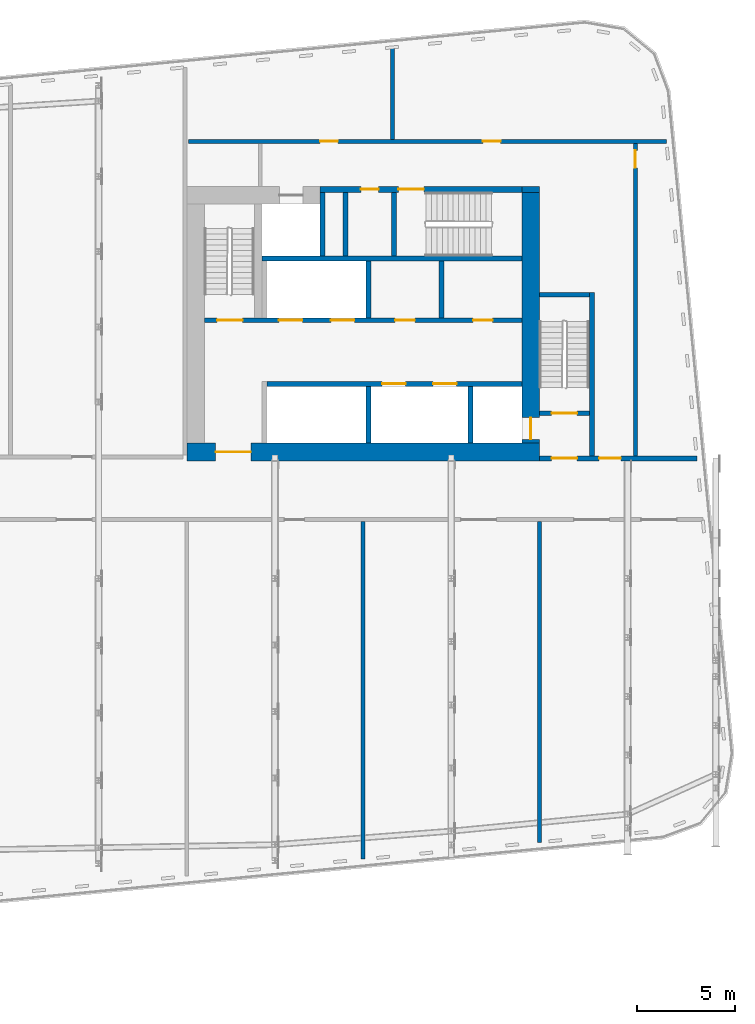
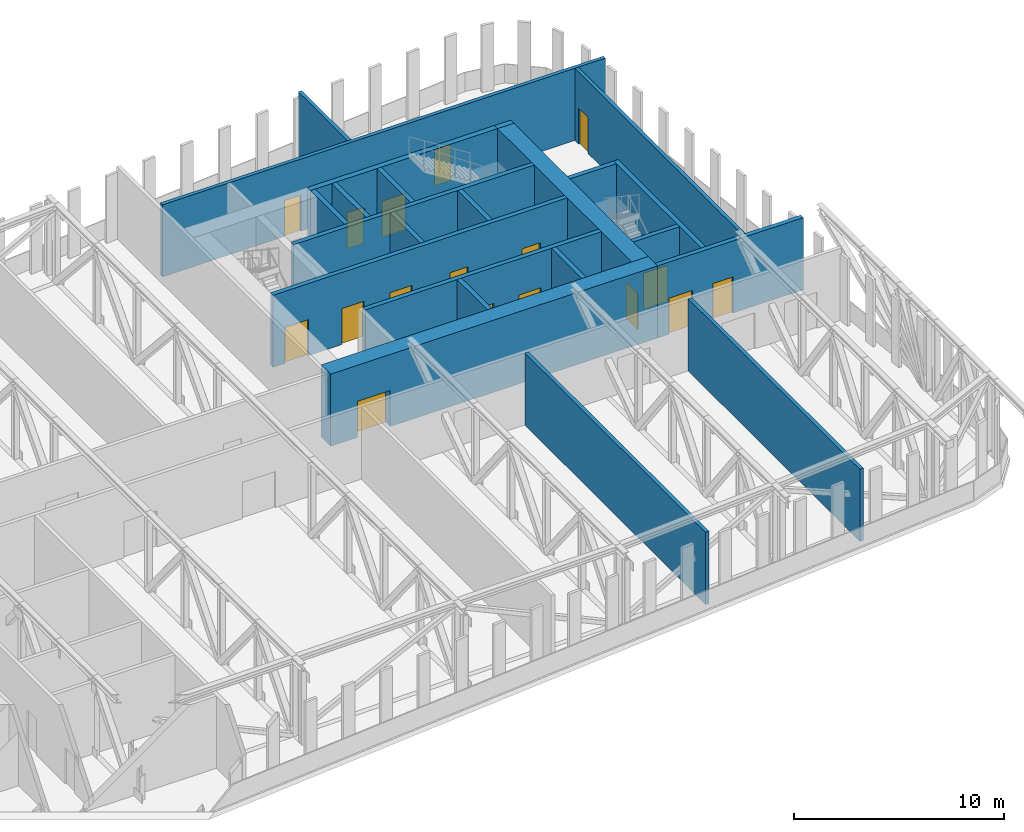
# One storey, part 11 of 26: 23 walls, 17 doors, 17 openings.
"""IFC4 building model written with IfcOpenShell, lengths in metres."""

import ifcopenshell
import ifcopenshell.guid

model = None  # the IFC model being written
_history = None  # IfcOwnerHistory: only IFC2X3 demands one
_inside = {}  # id of a spatial element -> (the spatial element, [elements in it])
_under = {}  # id of a project, library or spatial element -> (it, [spatial elements below it])
_declared = {}  # id of a project -> (the project, [libraries it declares])
_typed = {}  # id of a type object -> (the type object, [elements of that type])
_made_of = {}  # id of a material, layer set ... -> (it, [elements and type objects made of it])


def new_model(schema):
    """Start an empty IFC model of exactly this schema.

    Asked for "IFC4X3", IfcOpenShell would pick the latest addendum, in which some entities
    have other attributes; the version numbers below select the first issue.
    IFC2X3 requires an IfcOwnerHistory on every rooted entity: one is made here for all.
    """
    global model, _history
    if schema == "IFC4X3":
        model = ifcopenshell.file(schema_version=(4, 3, 0, 0))
    else:
        model = ifcopenshell.file(schema=schema)
    _inside.clear()
    _under.clear()
    _declared.clear()
    _typed.clear()
    _made_of.clear()
    _history = None
    if model.schema == "IFC2X3":
        org = make("IfcOrganization", Name="unknown")
        user = make(
            "IfcPersonAndOrganization",
            ThePerson=make("IfcPerson", FamilyName="unknown"),
            TheOrganization=org,
        )
        app = make(
            "IfcApplication",
            ApplicationDeveloper=org,
            Version="unknown",
            ApplicationFullName="unknown",
            ApplicationIdentifier="unknown",
        )
        _history = make(
            "IfcOwnerHistory",
            OwningUser=user,
            OwningApplication=app,
            ChangeAction="ADDED",
            CreationDate=0,
        )
    return model


def make(cls, **values):
    """One entity of the class cls with the attributes given. An attribute that is None is left unset."""
    return model.create_entity(
        cls, **{name: value for name, value in values.items() if value is not None}
    )


def rooted(cls, **values):
    """An entity with a GlobalId (a new one), such as an element, a storey or a relation."""
    return make(cls, GlobalId=ifcopenshell.guid.new(), OwnerHistory=_history, **values)


def si_unit(unit_type, name, prefix=None):
    """IfcSIUnit, for example si_unit("LENGTHUNIT", "METRE", prefix="MILLI")."""
    return make("IfcSIUnit", UnitType=unit_type, Prefix=prefix, Name=name)


def assignment(units):
    """IfcUnitAssignment: the units of a project."""
    return None if units is None else make("IfcUnitAssignment", Units=units)


def point(xyz):
    """IfcCartesianPoint."""
    return None if xyz is None else make("IfcCartesianPoint", Coordinates=xyz)


def direction(xyz):
    """IfcDirection."""
    return None if xyz is None else make("IfcDirection", DirectionRatios=xyz)


def frame(location, z_axis=None, x_axis=None):
    """IfcAxis2Placement3D, a coordinate frame: its origin and axes. An axis left out is left unset."""
    return make(
        "IfcAxis2Placement3D",
        Location=point(location),
        Axis=direction(z_axis),
        RefDirection=direction(x_axis),
    )


def frame_2d(location, x_axis=None):
    """IfcAxis2Placement2D, a coordinate frame in the plane: its origin and x axis."""
    return make(
        "IfcAxis2Placement2D", Location=point(location), RefDirection=direction(x_axis)
    )


def origin():
    """The frame at (0, 0, 0) with its axes left unset."""
    return frame((0.0, 0.0, 0.0))


def place(relative_to, where):
    """IfcLocalPlacement: puts the frame where relative to a parent placement (None: the world)."""
    return make(
        "IfcLocalPlacement", PlacementRelTo=relative_to, RelativePlacement=where
    )


def context(
    kind, dimensions, precision=None, world=None, true_north=None, identifier=None
):
    """IfcGeometricRepresentationContext, for example the 3D "Model" context."""
    return make(
        "IfcGeometricRepresentationContext",
        ContextIdentifier=identifier,
        ContextType=kind,
        CoordinateSpaceDimension=dimensions,
        Precision=precision,
        WorldCoordinateSystem=world,
        TrueNorth=true_north,
    )


def subcontext(parent, identifier, kind, view, scale=None):
    """IfcGeometricRepresentationSubContext, for example "Body" below "Model"."""
    return make(
        "IfcGeometricRepresentationSubContext",
        ContextIdentifier=identifier,
        ContextType=kind,
        ParentContext=parent,
        TargetScale=scale,
        TargetView=view,
    )


def project(units=None, contexts=None):
    """IfcProject with its units and contexts."""
    return rooted(
        "IfcProject",
        Name="project",
        RepresentationContexts=contexts,
        UnitsInContext=assignment(units),
    )


def spatial(cls, under=None, at=None, **own):
    """A site, building, storey or space (cls), placed at a placement, below another one or the project."""
    s = rooted(cls, ObjectPlacement=at, **own)
    if under is not None:
        _under.setdefault(under.id(), (under, []))[1].append(s)
    return s


def profile(cls, at=None, kind="AREA", **sizes):
    """A parametric profile (cls). Its sizes go by their IFC names, for example OverallWidth=200.0."""
    return make(cls, ProfileType=kind, Position=at, **sizes)


def rectangle(**sizes):
    """IfcRectangleProfileDef."""
    return profile("IfcRectangleProfileDef", **sizes)


def extrude(swept, where, along, depth):
    """IfcExtrudedAreaSolid: the profile swept, set in the frame where, extruded along a direction by depth."""
    return make(
        "IfcExtrudedAreaSolid",
        SweptArea=swept,
        Position=where,
        ExtrudedDirection=direction(along),
        Depth=depth,
    )


def shape(context_of_items, identifier, shape_type, items):
    """IfcShapeRepresentation: the items that make up one representation, for example the "Body"."""
    return make(
        "IfcShapeRepresentation",
        ContextOfItems=context_of_items,
        RepresentationIdentifier=identifier,
        RepresentationType=shape_type,
        Items=items,
    )


def material(Name=None, Category=None):
    """IfcMaterial."""
    return make("IfcMaterial", Name=Name, Category=Category)


def layer(
    of_material, thickness, ventilated=None, Name=None, Category=None, Priority=None
):
    """IfcMaterialLayer: one layer of a wall or slab, of a material (None: an air gap)."""
    return make(
        "IfcMaterialLayer",
        Material=of_material,
        LayerThickness=thickness,
        IsVentilated=ventilated,
        Name=Name,
        Category=Category,
        Priority=Priority,
    )


def layer_set(layers, Name=None):
    """IfcMaterialLayerSet."""
    return make("IfcMaterialLayerSet", MaterialLayers=layers, LayerSetName=Name)


def made_of(thing, what):
    """Note that an element or type object is made of a material, layer set ...; save() writes the relation."""
    if what is not None:
        _made_of.setdefault(what.id(), (what, []))[1].append(thing)
    return thing


def type_object(cls, material=None, **own):
    """A type object (cls), such as IfcWallType, which elements share."""
    return made_of(rooted(cls, **own), material)


def element(
    cls,
    number,
    at=None,
    inside=None,
    cuts=None,
    type_object=None,
    material=None,
    context=None,
    identifier="Body",
    shape_type=None,
    held_by="IfcProductDefinitionShape",
    body=None,
    shapes=None,
    **own,
):
    """One element of the class cls, such as IfcWall. Its Tag is "e" and its number.

    at: its placement. inside: the storey or other place that contains it. cuts: it is an
    opening in that element (IfcRelVoidsElement). A single representation is given by context,
    identifier, shape_type and body (its items); several are given by shapes. held_by: the class
    of the entity that holds the representations. save() writes the other relations.
    """
    e = rooted(cls, Tag="e%d" % number, ObjectPlacement=at, **own)
    if body is not None:
        shapes = [shape(context, identifier, shape_type, body)]
    if shapes is not None:
        e.Representation = make(held_by, Representations=shapes)
    if inside is not None:
        _inside.setdefault(inside.id(), (inside, []))[1].append(e)
    if cuts is not None:
        rooted(
            "IfcRelVoidsElement", RelatingBuildingElement=cuts, RelatedOpeningElement=e
        )
    if type_object is not None:
        _typed.setdefault(type_object.id(), (type_object, []))[1].append(e)
    return made_of(e, material)


def fill(opening, filler):
    """IfcRelFillsElement: the door or window that sits in an opening."""
    return rooted(
        "IfcRelFillsElement",
        RelatingOpeningElement=opening,
        RelatedBuildingElement=filler,
    )


def aggregate(whole, parts):
    """IfcRelAggregates: a whole, such as a stair, and the parts it consists of."""
    return rooted("IfcRelAggregates", RelatingObject=whole, RelatedObjects=parts)


def save(model, path):
    """Write the relations noted so far, then the file.

    IfcRelAggregates (storeys below a building ...), IfcRelContainedInSpatialStructure (elements
    in a storey), IfcRelDefinesByType, IfcRelAssociatesMaterial and IfcRelDeclares: one each for
    every whole, place, type object, material and project.
    """
    for whole, parts in _under.values():
        aggregate(whole, parts)
    for where, things in _inside.values():
        rooted(
            "IfcRelContainedInSpatialStructure",
            RelatedElements=things,
            RelatingStructure=where,
        )
    for kind, things in _typed.values():
        rooted("IfcRelDefinesByType", RelatedObjects=things, RelatingType=kind)
    for what, things in _made_of.values():
        rooted("IfcRelAssociatesMaterial", RelatedObjects=things, RelatingMaterial=what)
    for by, libraries in _declared.values():
        rooted("IfcRelDeclares", RelatingContext=by, RelatedDefinitions=libraries)
    model.write(path)


model = new_model("IFC4")

# Units and contexts
model_context = context("Model", 3, precision=1e-05, world=origin(), true_north=direction((0.0, 1.0)))
body_context = subcontext(model_context, "Body", "Model", "MODEL_VIEW")
ifc_project = project(units=[si_unit("LENGTHUNIT", "METRE"), si_unit("AREAUNIT", "SQUARE_METRE"), si_unit("VOLUMEUNIT", "CUBIC_METRE"), si_unit("PLANEANGLEUNIT", "RADIAN"), si_unit("MASSUNIT", "GRAM", prefix="KILO")], contexts=[model_context])

# Site, building, storey
site_placement = place(None, origin())
site = spatial("IfcSite", under=ifc_project, at=site_placement, CompositionType="ELEMENT")
building_placement = place(site_placement, origin())
building = spatial("IfcBuilding", under=site, at=building_placement, Name="Kajstack Hotel Tower", CompositionType="ELEMENT")
storey_placement = place(building_placement, frame((0.0, 0.0, 206.5)))
storey = spatial("IfcBuildingStorey", under=building, at=storey_placement, Name="L50", CompositionType="ELEMENT", Elevation=206.5)

# Wall, opening, door
ifc_material_1 = material(Name="Concrete C60/75", Category="concrete")
ifc_layer_1 = layer(ifc_material_1, 0.89990234375)
ifc_layer_set_1 = layer_set([ifc_layer_1], Name="Core wall 900")
wall_type_1 = type_object("IfcWallType", Name="Core wall 900", PredefinedType="SHEAR", material=ifc_layer_set_1)
wall_1_placement = place(storey_placement, frame((13.5, 1.949951171875, 0.0), z_axis=(0.0, 0.0, 1.0), x_axis=(1.0, 0.0, 0.0)))
wall_1 = element("IfcWall", 1, at=wall_1_placement, inside=storey, type_object=wall_type_1, Name="Core wall E RN", PredefinedType="SHEAR", context=body_context, shape_type="SweptSolid", body=[
    extrude(rectangle(XDim=18.0, YDim=0.89990234375, at=frame_2d((9.0, 0.0))), origin(), (0.0, 0.0, 1.0), 4.199951171875),
])
opening_1_placement = place(wall_1_placement, frame((1.47509765625, 0.0, 0.0)))
opening_1 = element("IfcOpeningElement", 2, at=opening_1_placement, cuts=wall_1, Name="Opening 50E07", PredefinedType="OPENING", context=body_context, shape_type="SweptSolid", body=[
    extrude(rectangle(XDim=1.800048828125, YDim=2.10009765625, at=frame_2d((0.89990234375, 1.050048828125))), frame((0.0, 0.4599609375, 0.0), z_axis=(0.0, -1.0, 0.0), x_axis=(1.0, 0.0, 0.0)), (0.0, 0.0, 1.0), 0.919921875),
])
ifc_material_2 = material(Name="Glazed steel frame, fire-rated glass", Category="steel")
door_type_1 = type_object("IfcDoorType", Name="Lobby double door 1800", OperationType="DOUBLE_DOOR_DOUBLE_SWING", PredefinedType="DOOR", material=ifc_material_2)
door_1_placement = place(opening_1_placement, origin())
door_1 = element("IfcDoor", 3, at=door_1_placement, inside=storey, type_object=door_type_1, Name="Door 50E07", OperationType="DOUBLE_DOOR_DOUBLE_SWING", OverallHeight=2.10009765625, OverallWidth=1.800048828125, PredefinedType="DOOR", context=body_context, shape_type="SweptSolid", body=[
    extrude(rectangle(XDim=1.800048828125, YDim=2.10009765625, at=frame_2d((0.89990234375, 1.050048828125))), frame((0.0, 0.02490234375, 0.0), z_axis=(0.0, -1.0, 0.0), x_axis=(1.0, 0.0, 0.0)), (0.0, 0.0, 1.0), 0.050048828125),
])
fill(opening_1, door_1)

# Wall
wall_2_placement = place(storey_placement, frame((30.60009765625, 15.35009765625, 0.0), z_axis=(0.0, 0.0, 1.0), x_axis=(1.0, 0.0, 0.0)))
element("IfcWall", 4, at=wall_2_placement, inside=storey, type_object=wall_type_1, Name="Core wall E RSW", PredefinedType="SHEAR", context=body_context, shape_type="SweptSolid", body=[
    extrude(rectangle(XDim=0.89990234375, YDim=0.300048828125, at=frame_2d((0.449951171875, 0.0))), origin(), (0.0, 0.0, 1.0), 4.199951171875),
])

# Wall, opening, door
wall_3_placement = place(storey_placement, frame((31.050048828125, 2.39990234375, 0.0), z_axis=(0.0, 0.0, 1.0), x_axis=(0.0, 1.0, 0.0)))
wall_3 = element("IfcWall", 5, at=wall_3_placement, inside=storey, type_object=wall_type_1, Name="Core wall E RW", PredefinedType="SHEAR", context=body_context, shape_type="SweptSolid", body=[
    extrude(rectangle(XDim=12.800048828125, YDim=0.89990234375, at=frame_2d((6.39990234375, 0.0))), origin(), (0.0, 0.0, 1.0), 4.199951171875),
])
opening_2_placement = place(wall_3_placement, frame((0.199951171875, 0.0, 0.0)))
opening_2 = element("IfcOpeningElement", 6, at=opening_2_placement, cuts=wall_3, Name="Opening LD-FF2", PredefinedType="OPENING", context=body_context, shape_type="SweptSolid", body=[
    extrude(rectangle(XDim=1.10009765625, YDim=2.10009765625, at=frame_2d((0.550048828125, 1.050048828125))), frame((0.0, 0.4599609375, 0.0), z_axis=(0.0, -1.0, 0.0), x_axis=(1.0, 0.0, 0.0)), (0.0, 0.0, 1.0), 0.919921875),
])
ifc_material_3 = material(Name="Stainless steel", Category="steel")
door_type_2 = type_object("IfcDoorType", Name="Fire-fighting lift landing door 1100", OperationType="SLIDING_TO_LEFT", PredefinedType="DOOR", material=ifc_material_3)
door_2_placement = place(opening_2_placement, origin())
door_2 = element("IfcDoor", 7, at=door_2_placement, inside=storey, type_object=door_type_2, Name="Landing door FF2", OperationType="SLIDING_TO_LEFT", OverallHeight=2.10009765625, OverallWidth=1.10009765625, PredefinedType="DOOR", context=body_context, shape_type="SweptSolid", body=[
    extrude(rectangle(XDim=1.10009765625, YDim=2.10009765625, at=frame_2d((0.550048828125, 1.050048828125))), frame((0.0, 0.02490234375, 0.0), z_axis=(0.0, -1.0, 0.0), x_axis=(1.0, 0.0, 0.0)), (0.0, 0.0, 1.0), 0.050048828125),
])
fill(opening_2, door_2)

# Walls
ifc_material_4 = material(Name="Concrete C50/60", Category="concrete")
ifc_layer_2 = layer(ifc_material_4, 0.300048828125)
ifc_layer_set_2 = layer_set([ifc_layer_2], Name="Hoistway divider wall 300")
wall_type_2 = type_object("IfcWallType", Name="Hoistway divider wall 300", PredefinedType="SHEAR", material=ifc_layer_set_2)
wall_4_placement = place(storey_placement, frame((22.77490234375, 2.39990234375, 0.0), z_axis=(0.0, 0.0, 1.0), x_axis=(0.0, 1.0, 0.0)))
element("IfcWall", 8, at=wall_4_placement, inside=storey, type_object=wall_type_2, Name="Core wall E AP2", PredefinedType="SHEAR", context=body_context, shape_type="SweptSolid", body=[
    extrude(rectangle(XDim=2.900146484375, YDim=0.25, at=frame_2d((1.4501953125, 0.0))), origin(), (0.0, 0.0, 1.0), 4.199951171875),
])
wall_5_placement = place(storey_placement, frame((22.77490234375, 8.800048828125, 0.0), z_axis=(0.0, 0.0, 1.0), x_axis=(0.0, 1.0, 0.0)))
element("IfcWall", 9, at=wall_5_placement, inside=storey, type_object=wall_type_2, Name="Core wall E BP2", PredefinedType="SHEAR", context=body_context, shape_type="SweptSolid", body=[
    extrude(rectangle(XDim=2.89990234375, YDim=0.25, at=frame_2d((1.449951171875, 0.0))), origin(), (0.0, 0.0, 1.0), 4.199951171875),
])
ifc_material_5 = material(Name="Gypsum board on steel studs, mineral wool", Category="steel")
ifc_layer_3 = layer(ifc_material_5, 0.199951171875)
ifc_layer_set_3 = layer_set([ifc_layer_3], Name="Public partition 200")
wall_type_3 = type_object("IfcWallType", Name="Public partition 200", PredefinedType="PARTITIONING", material=ifc_layer_set_3)
wall_6_placement = place(storey_placement, frame((22.5, -18.833984375, 0.0), z_axis=(0.0, 0.0, 1.0), x_axis=(0.0, 1.0, 0.0)))
element("IfcWall", 10, at=wall_6_placement, inside=storey, type_object=wall_type_3, Name="Partition SPX2", PredefinedType="PARTITIONING", context=body_context, shape_type="SweptSolid", body=[
    extrude(rectangle(XDim=17.23388671875, YDim=0.199951171875, at=frame_2d((8.616943359375, 0.0))), origin(), (0.0, 0.0, 1.0), 4.199951171875),
])
wall_7_placement = place(storey_placement, frame((31.5, -17.967529296875, 0.0), z_axis=(0.0, 0.0, 1.0), x_axis=(0.0, 1.0, 0.0)))
element("IfcWall", 11, at=wall_7_placement, inside=storey, type_object=wall_type_3, Name="Partition SPX3", PredefinedType="PARTITIONING", context=body_context, shape_type="SweptSolid", body=[
    extrude(rectangle(XDim=16.367431640625, YDim=0.199951171875, at=frame_2d((8.18359375, 0.0))), origin(), (0.0, 0.0, 1.0), 4.199951171875),
])
ifc_material_6 = material(Name="Concrete block masonry", Category="masonry")
ifc_layer_4 = layer(ifc_material_6, 0.25)
ifc_layer_set_4 = layer_set([ifc_layer_4], Name="Riser partition 250")
wall_type_4 = type_object("IfcWallType", Name="Riser partition 250", PredefinedType="PARTITIONING", material=ifc_layer_set_4)
wall_8_placement = place(storey_placement, frame((26.5, 8.800048828125, 0.0), z_axis=(0.0, 0.0, 1.0), x_axis=(0.0, 1.0, 0.0)))
element("IfcWall", 12, at=wall_8_placement, inside=storey, type_object=wall_type_4, Name="Partition E BF0", PredefinedType="PARTITIONING", context=body_context, shape_type="SweptSolid", body=[
    extrude(rectangle(XDim=2.89990234375, YDim=0.25, at=frame_2d((1.449951171875, 0.0))), origin(), (0.0, 0.0, 1.0), 4.199951171875),
])
wall_9_placement = place(storey_placement, frame((21.60009765625, 11.949951171875, 0.0), z_axis=(0.0, 0.0, 1.0), x_axis=(0.0, 1.0, 0.0)))
element("IfcWall", 13, at=wall_9_placement, inside=storey, type_object=wall_type_4, Name="Partition E SZ0", PredefinedType="PARTITIONING", context=body_context, shape_type="SweptSolid", body=[
    extrude(rectangle(XDim=3.25, YDim=0.25, at=frame_2d((1.625, 0.0))), origin(), (0.0, 0.0, 1.0), 4.199951171875),
])

# Wall, openings, doors
ifc_layer_5 = layer(ifc_material_5, 0.199951171875)
ifc_layer_set_5 = layer_set([ifc_layer_5], Name="Service partition 200")
wall_type_5 = type_object("IfcWallType", Name="Service partition 200", PredefinedType="PARTITIONING", material=ifc_layer_set_5)
wall_10_placement = place(storey_placement, frame((31.5, 1.625, 0.0), z_axis=(0.0, 0.0, 1.0), x_axis=(1.0, 0.0, 0.0)))
wall_10 = element("IfcWall", 14, at=wall_10_placement, inside=storey, type_object=wall_type_5, Name="Partition E SN", PredefinedType="PARTITIONING", context=body_context, shape_type="SweptSolid", body=[
    extrude(rectangle(XDim=8.035400390625, YDim=0.25, at=frame_2d((4.017578125, 0.0))), origin(), (0.0, 0.0, 1.0), 4.199951171875),
])
opening_3_placement = place(wall_10_placement, frame((0.625, 0.0, 0.0)))
opening_3 = element("IfcOpeningElement", 15, at=opening_3_placement, cuts=wall_10, Name="Opening 50E08", PredefinedType="OPENING", context=body_context, shape_type="SweptSolid", body=[
    extrude(rectangle(XDim=1.300048828125, YDim=2.10009765625, at=frame_2d((0.64990234375, 1.050048828125))), frame((0.0, 0.135009765625, 0.0), z_axis=(0.0, -1.0, 0.0), x_axis=(1.0, 0.0, 0.0)), (0.0, 0.0, 1.0), 0.27001953125),
])
opening_4_placement = place(wall_10_placement, frame((3.050048828125, 0.0, 0.0)))
opening_4 = element("IfcOpeningElement", 16, at=opening_4_placement, cuts=wall_10, Name="Opening 50E10", PredefinedType="OPENING", context=body_context, shape_type="SweptSolid", body=[
    extrude(rectangle(XDim=1.10009765625, YDim=2.10009765625, at=frame_2d((0.550048828125, 1.050048828125))), frame((0.0, 0.135009765625, 0.0), z_axis=(0.0, -1.0, 0.0), x_axis=(1.0, 0.0, 0.0)), (0.0, 0.0, 1.0), 0.27001953125),
])
ifc_material_7 = material(Name="Steel leaf, fire-rated", Category="steel")
door_type_3 = type_object("IfcDoorType", Name="Fire lobby door 1300", OperationType="SINGLE_SWING_LEFT", PredefinedType="DOOR", material=ifc_material_7)
door_3_placement = place(opening_3_placement, origin())
door_3 = element("IfcDoor", 17, at=door_3_placement, inside=storey, type_object=door_type_3, Name="Door 50E08", OperationType="SINGLE_SWING_LEFT", OverallHeight=2.10009765625, OverallWidth=1.300048828125, PredefinedType="DOOR", context=body_context, shape_type="SweptSolid", body=[
    extrude(rectangle(XDim=1.300048828125, YDim=2.10009765625, at=frame_2d((0.64990234375, 1.050048828125))), frame((0.0, 0.02490234375, 0.0), z_axis=(0.0, -1.0, 0.0), x_axis=(1.0, 0.0, 0.0)), (0.0, 0.0, 1.0), 0.050048828125),
])
fill(opening_3, door_3)
ifc_material_8 = material(Name="Timber leaf, fire-rated", Category="wood")
door_type_4 = type_object("IfcDoorType", Name="Service corridor door 1100", OperationType="SINGLE_SWING_LEFT", PredefinedType="DOOR", material=ifc_material_8)
door_4_placement = place(opening_4_placement, origin())
door_4 = element("IfcDoor", 18, at=door_4_placement, inside=storey, type_object=door_type_4, Name="Door 50E10", OperationType="SINGLE_SWING_LEFT", OverallHeight=2.10009765625, OverallWidth=1.10009765625, PredefinedType="DOOR", context=body_context, shape_type="SweptSolid", body=[
    extrude(rectangle(XDim=1.10009765625, YDim=2.10009765625, at=frame_2d((0.550048828125, 1.050048828125))), frame((0.0, 0.02490234375, 0.0), z_axis=(0.0, -1.0, 0.0), x_axis=(1.0, 0.0, 0.0)), (0.0, 0.0, 1.0), 0.050048828125),
])
fill(opening_4, door_4)

# Wall, opening, door
wall_11_placement = place(storey_placement, frame((36.39990234375, 1.75, 0.0), z_axis=(0.0, 0.0, 1.0), x_axis=(0.0, 1.0, 0.0)))
wall_11 = element("IfcWall", 19, at=wall_11_placement, inside=storey, type_object=wall_type_5, Name="Partition E WRE", PredefinedType="PARTITIONING", context=body_context, shape_type="SweptSolid", body=[
    extrude(rectangle(XDim=15.949951171875, YDim=0.199951171875, at=frame_2d((7.97509765625, 0.0))), origin(), (0.0, 0.0, 1.0), 4.199951171875),
])
opening_5_placement = place(wall_11_placement, frame((14.699951171875, 0.0, 0.0)))
opening_5 = element("IfcOpeningElement", 20, at=opening_5_placement, cuts=wall_11, Name="Opening 50E18", PredefinedType="OPENING", context=body_context, shape_type="SweptSolid", body=[
    extrude(rectangle(XDim=0.89990234375, YDim=2.10009765625, at=frame_2d((0.449951171875, 1.050048828125))), frame((0.0, 0.10986328125, 0.0), z_axis=(0.0, -1.0, 0.0), x_axis=(1.0, 0.0, 0.0)), (0.0, 0.0, 1.0), 0.219970703125),
])
door_type_5 = type_object("IfcDoorType", Name="Service door 900", OperationType="SINGLE_SWING_LEFT", PredefinedType="DOOR", material=ifc_material_8)
door_5_placement = place(opening_5_placement, origin())
door_5 = element("IfcDoor", 21, at=door_5_placement, inside=storey, type_object=door_type_5, Name="Door 50E18", OperationType="SINGLE_SWING_RIGHT", OverallHeight=2.10009765625, OverallWidth=0.89990234375, PredefinedType="DOOR", context=body_context, shape_type="SweptSolid", body=[
    extrude(rectangle(XDim=0.89990234375, YDim=2.10009765625, at=frame_2d((0.449951171875, 1.050048828125))), frame((0.0, 0.02490234375, 0.0), z_axis=(0.0, -1.0, 0.0), x_axis=(1.0, 0.0, 0.0)), (0.0, 0.0, 1.0), 0.050048828125),
])
fill(opening_5, door_5)

# Wall, openings, doors
wall_12_placement = place(storey_placement, frame((13.60009765625, 17.800048828125, 0.0), z_axis=(0.0, 0.0, 1.0), x_axis=(1.0, 0.0, 0.0)))
wall_12 = element("IfcWall", 22, at=wall_12_placement, inside=storey, type_object=wall_type_5, Name="Partition E SLN", PredefinedType="PARTITIONING", context=body_context, shape_type="SweptSolid", body=[
    extrude(rectangle(XDim=24.377685546875, YDim=0.199951171875, at=frame_2d((12.18896484375, 0.0))), origin(), (0.0, 0.0, 1.0), 4.199951171875),
])
opening_6_placement = place(wall_12_placement, frame((15.012451171875, 0.0, 0.0)))
opening_6 = element("IfcOpeningElement", 23, at=opening_6_placement, cuts=wall_12, Name="Opening 50E16", PredefinedType="OPENING", context=body_context, shape_type="SweptSolid", body=[
    extrude(rectangle(XDim=0.89990234375, YDim=2.10009765625, at=frame_2d((0.449951171875, 1.050048828125))), frame((0.0, 0.10986328125, 0.0), z_axis=(0.0, -1.0, 0.0), x_axis=(1.0, 0.0, 0.0)), (0.0, 0.0, 1.0), 0.219970703125),
])
opening_7_placement = place(wall_12_placement, frame((6.71240234375, 0.0, 0.0)))
opening_7 = element("IfcOpeningElement", 24, at=opening_7_placement, cuts=wall_12, Name="Opening 50E17", PredefinedType="OPENING", context=body_context, shape_type="SweptSolid", body=[
    extrude(rectangle(XDim=0.89990234375, YDim=2.10009765625, at=frame_2d((0.449951171875, 1.050048828125))), frame((0.0, 0.10986328125, 0.0), z_axis=(0.0, -1.0, 0.0), x_axis=(1.0, 0.0, 0.0)), (0.0, 0.0, 1.0), 0.219970703125),
])
door_6_placement = place(opening_6_placement, origin())
door_6 = element("IfcDoor", 25, at=door_6_placement, inside=storey, type_object=door_type_5, Name="Door 50E16", OperationType="SINGLE_SWING_LEFT", OverallHeight=2.10009765625, OverallWidth=0.89990234375, PredefinedType="DOOR", context=body_context, shape_type="SweptSolid", body=[
    extrude(rectangle(XDim=0.89990234375, YDim=2.10009765625, at=frame_2d((0.449951171875, 1.050048828125))), frame((0.0, 0.02490234375, 0.0), z_axis=(0.0, -1.0, 0.0), x_axis=(1.0, 0.0, 0.0)), (0.0, 0.0, 1.0), 0.050048828125),
])
fill(opening_6, door_6)
door_7_placement = place(opening_7_placement, origin())
door_7 = element("IfcDoor", 26, at=door_7_placement, inside=storey, type_object=door_type_5, Name="Door 50E17", OperationType="SINGLE_SWING_LEFT", OverallHeight=2.10009765625, OverallWidth=0.89990234375, PredefinedType="DOOR", context=body_context, shape_type="SweptSolid", body=[
    extrude(rectangle(XDim=0.89990234375, YDim=2.10009765625, at=frame_2d((0.449951171875, 1.050048828125))), frame((0.0, 0.02490234375, 0.0), z_axis=(0.0, -1.0, 0.0), x_axis=(1.0, 0.0, 0.0)), (0.0, 0.0, 1.0), 0.050048828125),
])
fill(opening_7, door_7)

# Wall
wall_13_placement = place(storey_placement, frame((24.0, 17.89990234375, 0.0), z_axis=(0.0, 0.0, 1.0), x_axis=(0.0, 1.0, 0.0)))
element("IfcWall", 27, at=wall_13_placement, inside=storey, type_object=wall_type_5, Name="Partition E SLP0", PredefinedType="PARTITIONING", context=body_context, shape_type="SweptSolid", body=[
    extrude(rectangle(XDim=4.701416015625, YDim=0.199951171875, at=frame_2d((2.3505859375, 0.0))), origin(), (0.0, 0.0, 1.0), 4.199951171875),
])

# Wall, openings, doors
ifc_layer_6 = layer(ifc_material_4, 0.25)
ifc_layer_set_6 = layer_set([ifc_layer_6], Name="Shaft wall 250")
wall_type_6 = type_object("IfcWallType", Name="Shaft wall 250", PredefinedType="SHEAR", material=ifc_layer_set_6)
wall_14_placement = place(storey_placement, frame((20.300048828125, 15.35009765625, 0.0), z_axis=(0.0, 0.0, 1.0), x_axis=(1.0, 0.0, 0.0)))
wall_14 = element("IfcWall", 28, at=wall_14_placement, inside=storey, type_object=wall_type_6, Name="Core wall E RSS", PredefinedType="SHEAR", context=body_context, shape_type="SweptSolid", body=[
    extrude(rectangle(XDim=10.300048828125, YDim=0.300048828125, at=frame_2d((5.14990234375, 0.0))), origin(), (0.0, 0.0, 1.0), 4.199951171875),
])
opening_8_placement = place(wall_14_placement, frame((4.0, 0.0, 0.0)))
opening_8 = element("IfcOpeningElement", 29, at=opening_8_placement, cuts=wall_14, Name="Opening 50E12", PredefinedType="OPENING", context=body_context, shape_type="SweptSolid", body=[
    extrude(rectangle(XDim=1.300048828125, YDim=2.10009765625, at=frame_2d((0.64990234375, 1.050048828125))), frame((0.0, 0.159912109375, 0.0), z_axis=(0.0, -1.0, 0.0), x_axis=(1.0, 0.0, 0.0)), (0.0, 0.0, 1.0), 0.320068359375),
])
opening_9_placement = place(wall_14_placement, frame((2.08740234375, 0.0, 0.0)))
opening_9 = element("IfcOpeningElement", 30, at=opening_9_placement, cuts=wall_14, Name="Opening 50E13", PredefinedType="OPENING", context=body_context, shape_type="SweptSolid", body=[
    extrude(rectangle(XDim=0.89990234375, YDim=2.10009765625, at=frame_2d((0.449951171875, 1.050048828125))), frame((0.0, 0.159912109375, 0.0), z_axis=(0.0, -1.0, 0.0), x_axis=(1.0, 0.0, 0.0)), (0.0, 0.0, 1.0), 0.320068359375),
])
door_8_placement = place(opening_9_placement, origin())
door_8 = element("IfcDoor", 31, at=door_8_placement, inside=storey, type_object=door_type_5, Name="Door 50E13", OperationType="SINGLE_SWING_RIGHT", OverallHeight=2.10009765625, OverallWidth=0.89990234375, PredefinedType="DOOR", context=body_context, shape_type="SweptSolid", body=[
    extrude(rectangle(XDim=0.89990234375, YDim=2.10009765625, at=frame_2d((0.449951171875, 1.050048828125))), frame((0.0, 0.02490234375, 0.0), z_axis=(0.0, -1.0, 0.0), x_axis=(1.0, 0.0, 0.0)), (0.0, 0.0, 1.0), 0.050048828125),
])
fill(opening_9, door_8)
door_type_6 = type_object("IfcDoorType", Name="Stair door 1300", OperationType="SINGLE_SWING_LEFT", PredefinedType="DOOR", material=ifc_material_7)
door_9_placement = place(opening_8_placement, origin())
door_9 = element("IfcDoor", 32, at=door_9_placement, inside=storey, type_object=door_type_6, Name="Door 50E12", OperationType="SINGLE_SWING_LEFT", OverallHeight=2.10009765625, OverallWidth=1.300048828125, PredefinedType="DOOR", context=body_context, shape_type="SweptSolid", body=[
    extrude(rectangle(XDim=1.300048828125, YDim=2.10009765625, at=frame_2d((0.64990234375, 1.050048828125))), frame((0.0, 0.02490234375, 0.0), z_axis=(0.0, -1.0, 0.0), x_axis=(1.0, 0.0, 0.0)), (0.0, 0.0, 1.0), 0.050048828125),
])
fill(opening_8, door_9)

wall_15_placement = place(storey_placement, frame((17.60009765625, 5.425048828125, 0.0), z_axis=(0.0, 0.0, 1.0), x_axis=(1.0, 0.0, 0.0)))
wall_15 = element("IfcWall", 33, at=wall_15_placement, inside=storey, type_object=wall_type_6, Name="Core wall E FA", PredefinedType="SHEAR", context=body_context, shape_type="SweptSolid", body=[
    extrude(rectangle(XDim=13.0, YDim=0.25, at=frame_2d((6.5, 0.0))), origin(), (0.0, 0.0, 1.0), 4.199951171875),
])
opening_10_placement = place(wall_15_placement, frame((8.47509765625, 0.0, 0.0)))
opening_10 = element("IfcOpeningElement", 34, at=opening_10_placement, cuts=wall_15, Name="Opening LD-MR7", PredefinedType="OPENING", context=body_context, shape_type="SweptSolid", body=[
    extrude(rectangle(XDim=1.199951171875, YDim=2.10009765625, at=frame_2d((0.60009765625, 1.050048828125))), frame((0.0, 0.135009765625, 0.0), z_axis=(0.0, -1.0, 0.0), x_axis=(1.0, 0.0, 0.0)), (0.0, 0.0, 1.0), 0.27001953125),
])
opening_11_placement = place(wall_15_placement, frame((5.875, 0.0, 0.0)))
opening_11 = element("IfcOpeningElement", 35, at=opening_11_placement, cuts=wall_15, Name="Opening LD-MR8", PredefinedType="OPENING", context=body_context, shape_type="SweptSolid", body=[
    extrude(rectangle(XDim=1.199951171875, YDim=2.10009765625, at=frame_2d((0.60009765625, 1.050048828125))), frame((0.0, 0.135009765625, 0.0), z_axis=(0.0, -1.0, 0.0), x_axis=(1.0, 0.0, 0.0)), (0.0, 0.0, 1.0), 0.27001953125),
])
door_type_7 = type_object("IfcDoorType", Name="Lift landing door 1200", OperationType="SLIDING_TO_LEFT", PredefinedType="DOOR", material=ifc_material_3)
door_10_placement = place(opening_10_placement, origin())
door_10 = element("IfcDoor", 36, at=door_10_placement, inside=storey, type_object=door_type_7, Name="Landing door MR7", OperationType="SLIDING_TO_LEFT", OverallHeight=2.10009765625, OverallWidth=1.199951171875, PredefinedType="DOOR", context=body_context, shape_type="SweptSolid", body=[
    extrude(rectangle(XDim=1.199951171875, YDim=2.10009765625, at=frame_2d((0.60009765625, 1.050048828125))), frame((0.0, 0.02490234375, 0.0), z_axis=(0.0, -1.0, 0.0), x_axis=(1.0, 0.0, 0.0)), (0.0, 0.0, 1.0), 0.050048828125),
])
fill(opening_10, door_10)
door_11_placement = place(opening_11_placement, origin())
door_11 = element("IfcDoor", 37, at=door_11_placement, inside=storey, type_object=door_type_7, Name="Landing door MR8", OperationType="SLIDING_TO_RIGHT", OverallHeight=2.10009765625, OverallWidth=1.199951171875, PredefinedType="DOOR", context=body_context, shape_type="SweptSolid", body=[
    extrude(rectangle(XDim=1.199951171875, YDim=2.10009765625, at=frame_2d((0.60009765625, 1.050048828125))), frame((0.0, 0.02490234375, 0.0), z_axis=(0.0, -1.0, 0.0), x_axis=(1.0, 0.0, 0.0)), (0.0, 0.0, 1.0), 0.050048828125),
])
fill(opening_11, door_11)

# Wall
wall_16_placement = place(storey_placement, frame((27.97509765625, 2.39990234375, 0.0), z_axis=(0.0, 0.0, 1.0), x_axis=(0.0, 1.0, 0.0)))
element("IfcWall", 38, at=wall_16_placement, inside=storey, type_object=wall_type_6, Name="Core wall E AP0", PredefinedType="SHEAR", context=body_context, shape_type="SweptSolid", body=[
    extrude(rectangle(XDim=2.900146484375, YDim=0.25, at=frame_2d((1.4501953125, 0.0))), origin(), (0.0, 0.0, 1.0), 4.199951171875),
])

# Wall, openings, doors
wall_17_placement = place(storey_placement, frame((14.39990234375, 8.675048828125, 0.0), z_axis=(0.0, 0.0, 1.0), x_axis=(1.0, 0.0, 0.0)))
wall_17 = element("IfcWall", 39, at=wall_17_placement, inside=storey, type_object=wall_type_6, Name="Core wall E FB", PredefinedType="SHEAR", context=body_context, shape_type="SweptSolid", body=[
    extrude(rectangle(XDim=16.2001953125, YDim=0.25, at=frame_2d((8.10009765625, 0.0))), origin(), (0.0, 0.0, 1.0), 4.199951171875),
])
opening_12_placement = place(wall_17_placement, frame((6.449951171875, 0.0, 0.0)))
opening_12 = element("IfcOpeningElement", 40, at=opening_12_placement, cuts=wall_17, Name="Opening LD-MR5", PredefinedType="OPENING", context=body_context, shape_type="SweptSolid", body=[
    extrude(rectangle(XDim=1.199951171875, YDim=2.10009765625, at=frame_2d((0.60009765625, 1.050048828125))), frame((0.0, 0.135009765625, 0.0), z_axis=(0.0, -1.0, 0.0), x_axis=(1.0, 0.0, 0.0)), (0.0, 0.0, 1.0), 0.27001953125),
])
opening_13_placement = place(wall_17_placement, frame((3.800048828125, 0.0, 0.0)))
opening_13 = element("IfcOpeningElement", 41, at=opening_13_placement, cuts=wall_17, Name="Opening LD-MR6", PredefinedType="OPENING", context=body_context, shape_type="SweptSolid", body=[
    extrude(rectangle(XDim=1.199951171875, YDim=2.10009765625, at=frame_2d((0.60009765625, 1.050048828125))), frame((0.0, 0.135009765625, 0.0), z_axis=(0.0, -1.0, 0.0), x_axis=(1.0, 0.0, 0.0)), (0.0, 0.0, 1.0), 0.27001953125),
])
opening_14_placement = place(wall_17_placement, frame((0.64990234375, 0.0, 0.0)))
opening_14 = element("IfcOpeningElement", 42, at=opening_14_placement, cuts=wall_17, Name="Opening 50E11", PredefinedType="OPENING", context=body_context, shape_type="SweptSolid", body=[
    extrude(rectangle(XDim=1.300048828125, YDim=2.10009765625, at=frame_2d((0.64990234375, 1.050048828125))), frame((0.0, 0.135009765625, 0.0), z_axis=(0.0, -1.0, 0.0), x_axis=(1.0, 0.0, 0.0)), (0.0, 0.0, 1.0), 0.27001953125),
])
opening_15_placement = place(wall_17_placement, frame((13.71240234375, 0.0, 0.0)))
opening_15 = element("IfcOpeningElement", 43, at=opening_15_placement, cuts=wall_17, Name="Opening 50E14", PredefinedType="OPENING", context=body_context, shape_type="SweptSolid", body=[
    extrude(rectangle(XDim=1.0, YDim=2.10009765625, at=frame_2d((0.5, 1.050048828125))), frame((0.0, 0.135009765625, 0.0), z_axis=(0.0, -1.0, 0.0), x_axis=(1.0, 0.0, 0.0)), (0.0, 0.0, 1.0), 0.27001953125),
])
opening_16_placement = place(wall_17_placement, frame((9.737548828125, 0.0, 0.0)))
opening_16 = element("IfcOpeningElement", 44, at=opening_16_placement, cuts=wall_17, Name="Opening 50E15", PredefinedType="OPENING", context=body_context, shape_type="SweptSolid", body=[
    extrude(rectangle(XDim=1.0, YDim=2.10009765625, at=frame_2d((0.5, 1.050048828125))), frame((0.0, 0.135009765625, 0.0), z_axis=(0.0, -1.0, 0.0), x_axis=(1.0, 0.0, 0.0)), (0.0, 0.0, 1.0), 0.27001953125),
])
door_12_placement = place(opening_12_placement, origin())
door_12 = element("IfcDoor", 45, at=door_12_placement, inside=storey, type_object=door_type_7, Name="Landing door MR5", OperationType="SLIDING_TO_LEFT", OverallHeight=2.10009765625, OverallWidth=1.199951171875, PredefinedType="DOOR", context=body_context, shape_type="SweptSolid", body=[
    extrude(rectangle(XDim=1.199951171875, YDim=2.10009765625, at=frame_2d((0.60009765625, 1.050048828125))), frame((0.0, 0.02490234375, 0.0), z_axis=(0.0, -1.0, 0.0), x_axis=(1.0, 0.0, 0.0)), (0.0, 0.0, 1.0), 0.050048828125),
])
fill(opening_12, door_12)
door_13_placement = place(opening_13_placement, origin())
door_13 = element("IfcDoor", 46, at=door_13_placement, inside=storey, type_object=door_type_7, Name="Landing door MR6", OperationType="SLIDING_TO_RIGHT", OverallHeight=2.10009765625, OverallWidth=1.199951171875, PredefinedType="DOOR", context=body_context, shape_type="SweptSolid", body=[
    extrude(rectangle(XDim=1.199951171875, YDim=2.10009765625, at=frame_2d((0.60009765625, 1.050048828125))), frame((0.0, 0.02490234375, 0.0), z_axis=(0.0, -1.0, 0.0), x_axis=(1.0, 0.0, 0.0)), (0.0, 0.0, 1.0), 0.050048828125),
])
fill(opening_13, door_13)
door_type_8 = type_object("IfcDoorType", Name="Service room door 1000", OperationType="SINGLE_SWING_LEFT", PredefinedType="DOOR", material=ifc_material_8)
door_14_placement = place(opening_15_placement, origin())
door_14 = element("IfcDoor", 47, at=door_14_placement, inside=storey, type_object=door_type_8, Name="Door 50E14", OperationType="SINGLE_SWING_LEFT", OverallHeight=2.10009765625, OverallWidth=1.0, PredefinedType="DOOR", context=body_context, shape_type="SweptSolid", body=[
    extrude(rectangle(XDim=1.0, YDim=2.10009765625, at=frame_2d((0.5, 1.050048828125))), frame((0.0, 0.02490234375, 0.0), z_axis=(0.0, -1.0, 0.0), x_axis=(1.0, 0.0, 0.0)), (0.0, 0.0, 1.0), 0.050048828125),
])
fill(opening_15, door_14)
door_15_placement = place(opening_16_placement, origin())
door_15 = element("IfcDoor", 48, at=door_15_placement, inside=storey, type_object=door_type_8, Name="Door 50E15", OperationType="SINGLE_SWING_LEFT", OverallHeight=2.10009765625, OverallWidth=1.0, PredefinedType="DOOR", context=body_context, shape_type="SweptSolid", body=[
    extrude(rectangle(XDim=1.0, YDim=2.10009765625, at=frame_2d((0.5, 1.050048828125))), frame((0.0, 0.02490234375, 0.0), z_axis=(0.0, -1.0, 0.0), x_axis=(1.0, 0.0, 0.0)), (0.0, 0.0, 1.0), 0.050048828125),
])
fill(opening_16, door_15)
door_16_placement = place(opening_14_placement, origin())
door_16 = element("IfcDoor", 49, at=door_16_placement, inside=storey, type_object=door_type_6, Name="Door 50E11", OperationType="SINGLE_SWING_LEFT", OverallHeight=2.10009765625, OverallWidth=1.300048828125, PredefinedType="DOOR", context=body_context, shape_type="SweptSolid", body=[
    extrude(rectangle(XDim=1.300048828125, YDim=2.10009765625, at=frame_2d((0.64990234375, 1.050048828125))), frame((0.0, 0.02490234375, 0.0), z_axis=(0.0, -1.0, 0.0), x_axis=(1.0, 0.0, 0.0)), (0.0, 0.0, 1.0), 0.050048828125),
])
fill(opening_14, door_16)

# Walls
wall_18_placement = place(storey_placement, frame((17.35009765625, 11.824951171875, 0.0), z_axis=(0.0, 0.0, 1.0), x_axis=(1.0, 0.0, 0.0)))
element("IfcWall", 50, at=wall_18_placement, inside=storey, type_object=wall_type_6, Name="Core wall E RB", PredefinedType="SHEAR", context=body_context, shape_type="SweptSolid", body=[
    extrude(rectangle(XDim=13.25, YDim=0.25, at=frame_2d((6.625, 0.0))), origin(), (0.0, 0.0, 1.0), 4.199951171875),
])
wall_19_placement = place(storey_placement, frame((20.425048828125, 11.949951171875, 0.0), z_axis=(0.0, 0.0, 1.0), x_axis=(0.0, 1.0, 0.0)))
element("IfcWall", 51, at=wall_19_placement, inside=storey, type_object=wall_type_6, Name="Core wall E SVW", PredefinedType="SHEAR", context=body_context, shape_type="SweptSolid", body=[
    extrude(rectangle(XDim=3.25, YDim=0.25, at=frame_2d((1.625, 0.0))), origin(), (0.0, 0.0, 1.0), 4.199951171875),
])

# Wall, opening, door
ifc_material_9 = material(Name="Concrete C40/50", Category="concrete")
ifc_layer_7 = layer(ifc_material_9, 0.25)
ifc_layer_set_7 = layer_set([ifc_layer_7], Name="Stair enclosure wall 250")
wall_type_7 = type_object("IfcWallType", Name="Stair enclosure wall 250", PredefinedType="SHEAR", material=ifc_layer_set_7)
wall_20_placement = place(storey_placement, frame((31.5, 3.925048828125, 0.0), z_axis=(0.0, 0.0, 1.0), x_axis=(1.0, 0.0, 0.0)))
wall_20 = element("IfcWall", 52, at=wall_20_placement, inside=storey, type_object=wall_type_7, Name="Core wall E W1N", PredefinedType="SHEAR", context=body_context, shape_type="SweptSolid", body=[
    extrude(rectangle(XDim=2.550048828125, YDim=0.25, at=frame_2d((1.27490234375, 0.0))), origin(), (0.0, 0.0, 1.0), 4.199951171875),
])
opening_17_placement = place(wall_20_placement, frame((0.625, 0.0, 0.0)))
opening_17 = element("IfcOpeningElement", 53, at=opening_17_placement, cuts=wall_20, Name="Opening 50E09", PredefinedType="OPENING", context=body_context, shape_type="SweptSolid", body=[
    extrude(rectangle(XDim=1.300048828125, YDim=2.10009765625, at=frame_2d((0.64990234375, 1.050048828125))), frame((0.0, 0.135009765625, 0.0), z_axis=(0.0, -1.0, 0.0), x_axis=(1.0, 0.0, 0.0)), (0.0, 0.0, 1.0), 0.27001953125),
])
door_17_placement = place(opening_17_placement, origin())
door_17 = element("IfcDoor", 54, at=door_17_placement, inside=storey, type_object=door_type_6, Name="Door 50E09", OperationType="SINGLE_SWING_LEFT", OverallHeight=2.10009765625, OverallWidth=1.300048828125, PredefinedType="DOOR", context=body_context, shape_type="SweptSolid", body=[
    extrude(rectangle(XDim=1.300048828125, YDim=2.10009765625, at=frame_2d((0.64990234375, 1.050048828125))), frame((0.0, 0.02490234375, 0.0), z_axis=(0.0, -1.0, 0.0), x_axis=(1.0, 0.0, 0.0)), (0.0, 0.0, 1.0), 0.050048828125),
])
fill(opening_17, door_17)

# Walls
wall_21_placement = place(storey_placement, frame((34.175048828125, 1.75, 0.0), z_axis=(0.0, 0.0, 1.0), x_axis=(0.0, 1.0, 0.0)))
element("IfcWall", 55, at=wall_21_placement, inside=storey, type_object=wall_type_7, Name="Core wall E W1W", PredefinedType="SHEAR", context=body_context, shape_type="SweptSolid", body=[
    extrude(rectangle(XDim=8.35009765625, YDim=0.25, at=frame_2d((4.175048828125, 0.0))), origin(), (0.0, 0.0, 1.0), 4.199951171875),
])
wall_22_placement = place(storey_placement, frame((31.5, 9.97509765625, 0.0), z_axis=(0.0, 0.0, 1.0), x_axis=(1.0, 0.0, 0.0)))
element("IfcWall", 56, at=wall_22_placement, inside=storey, type_object=wall_type_7, Name="Core wall E W1S", PredefinedType="SHEAR", context=body_context, shape_type="SweptSolid", body=[
    extrude(rectangle(XDim=2.550048828125, YDim=0.25, at=frame_2d((1.27490234375, 0.0))), origin(), (0.0, 0.0, 1.0), 4.199951171875),
])
ifc_layer_8 = layer(ifc_material_4, 0.35009765625)
ifc_layer_set_8 = layer_set([ifc_layer_8], Name="Stair enclosure wall 350")
wall_type_8 = type_object("IfcWallType", Name="Stair enclosure wall 350", PredefinedType="SHEAR", material=ifc_layer_set_8)
wall_23_placement = place(storey_placement, frame((24.074951171875, 11.949951171875, 0.0), z_axis=(0.0, 0.0, 1.0), x_axis=(0.0, 1.0, 0.0)))
element("IfcWall", 57, at=wall_23_placement, inside=storey, type_object=wall_type_8, Name="Core wall E W3E", PredefinedType="SHEAR", context=body_context, shape_type="SweptSolid", body=[
    extrude(rectangle(XDim=3.25, YDim=0.25, at=frame_2d((1.625, 0.0))), origin(), (0.0, 0.0, 1.0), 4.199951171875),
])

save(model, "model.ifc")
